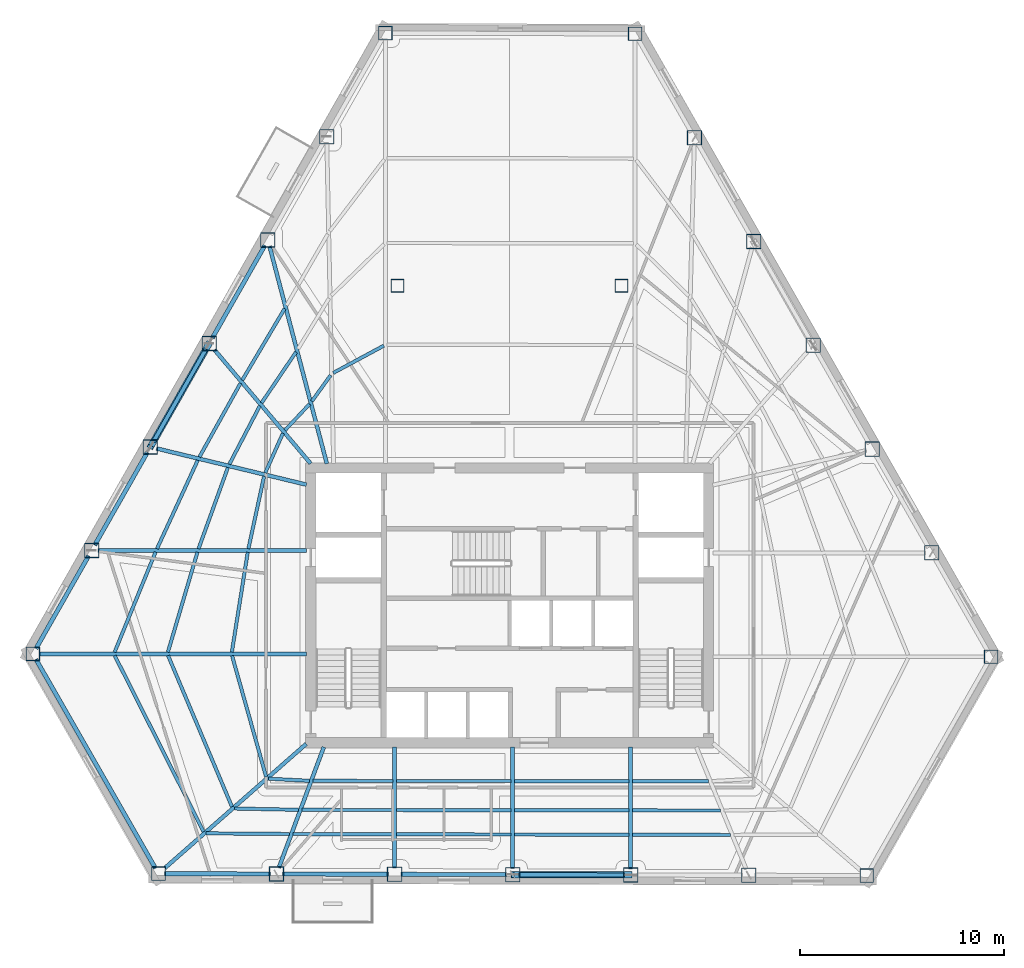
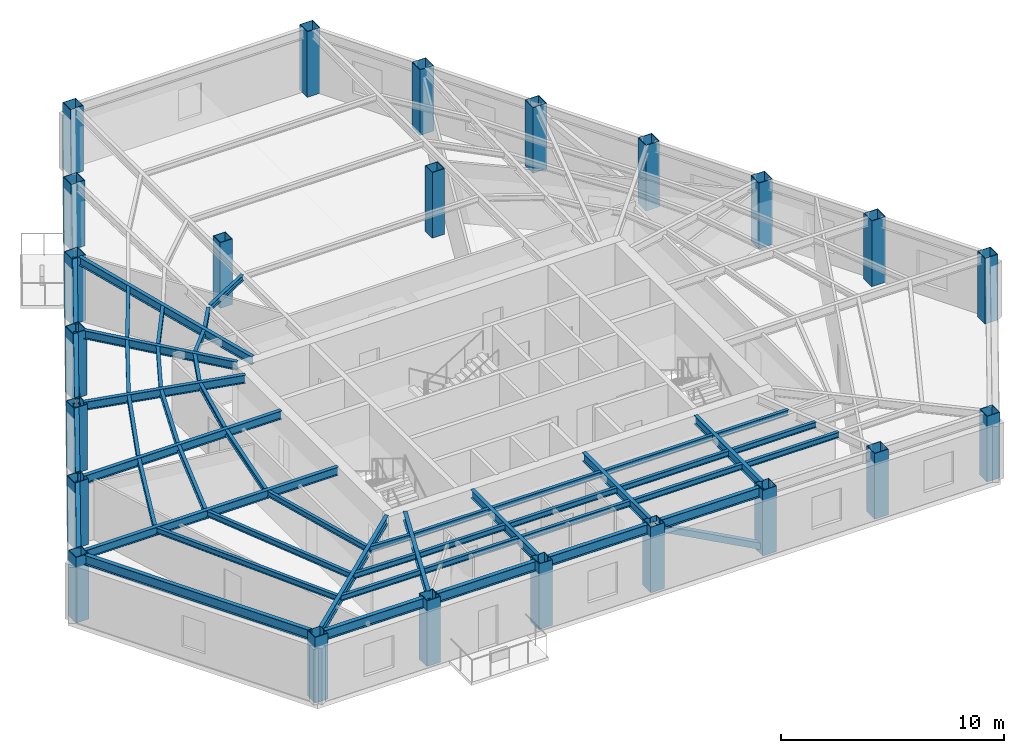
# One storey, part 1 of 13: 51 beams, 23 columns, 2 members.
"""IFC4 building model written with IfcOpenShell, lengths in metres."""

from ifc_helpers import new_model, si_unit, direction, frame, origin, origin_2d, place, context, subcontext, project, spatial, hollow_rectangle, i_section, extrude, material, material_profile, profile_set, type_object, element, save


model = new_model("IFC4")

# Units and contexts
model_context = context("Model", 3, precision=1e-05, world=origin(), true_north=direction((0.0, 1.0)))
body_context = subcontext(model_context, "Body", "Model", "MODEL_VIEW")
ifc_project = project(units=[si_unit("LENGTHUNIT", "METRE"), si_unit("AREAUNIT", "SQUARE_METRE"), si_unit("VOLUMEUNIT", "CUBIC_METRE"), si_unit("PLANEANGLEUNIT", "RADIAN"), si_unit("MASSUNIT", "GRAM", prefix="KILO")], contexts=[model_context])

# Site, building, storey
site_placement = place(None, origin())
site = spatial("IfcSite", under=ifc_project, at=site_placement, CompositionType="ELEMENT")
building_placement = place(site_placement, origin())
building = spatial("IfcBuilding", under=site, at=building_placement, Name="Kavelnor Concourse Tower", CompositionType="ELEMENT")
storey_placement = place(building_placement, frame((0.0, 0.0, 97.050048828125)))
storey = spatial("IfcBuildingStorey", under=building, at=storey_placement, Name="L24", CompositionType="ELEMENT", Elevation=97.050048828125)

# Columns
ifc_material = material(Name="Steel Grade 350", Category="steel")
ifc_material_profile_1 = material_profile(ifc_material, hollow_rectangle(XDim=0.679931640625, YDim=0.679931640625, WallThickness=0.030029296875, at=origin_2d()), Name="SHS 680x680x30")
ifc_profile_set_1 = profile_set([ifc_material_profile_1], Name="Steel Grade 350")
column_type_1 = type_object("IfcColumnType", Name="COL-FOLD-Z2", PredefinedType="COLUMN", material=ifc_profile_set_1)
for number, where, z_axis, x_axis, name in (
    (1, (31.898681640625, 44.20947265625, 0.0), (0.0, 0.0, 1.0), (1.0, 0.0, 0.0), "L24 Perimeter Corner-Fold Column F0-B0"),
    (2, (14.581787109375, 13.7138671875, 0.0), (0.0, 0.0, 1.0), (1.0, 0.0, 0.0), "L24 Perimeter Corner-Fold Column F0-B6"),
    (3, (20.750732421875, 2.92041015625, 0.0), (0.0, 0.0, 1.0), (1.0, 0.0, 0.0), "L24 Perimeter Corner-Fold Column F1-B0"),
    (4, (55.543701171875, 2.823486328125, 0.0), (0.0, 0.0, 1.0), (1.0, 0.0, 0.0), "L24 Perimeter Corner-Fold Column F1-B6"),
    (5, (61.650390625, 13.578125, 0.0), (0.0, 0.0, 1.0), (1.0, 0.0, 0.0), "L24 Perimeter Corner-Fold Column F2-B0"),
    (6, (44.163330078125, 44.17529296875, 0.0), (0.0, 0.0, 1.0), (1.0, 0.0, 0.0), "L24 Perimeter Corner-Fold Column F2-B6"),
):
    element("IfcColumn", number, at=place(storey_placement, frame(where, z_axis=z_axis, x_axis=x_axis)), inside=storey, type_object=column_type_1, Name=name, PredefinedType="COLUMN", context=body_context, shape_type="SweptSolid", body=[
        extrude(hollow_rectangle(XDim=0.679931640625, YDim=0.679931640625, WallThickness=0.030029296875, at=origin_2d()), origin(), (0.0, 0.0, 1.0), 3.599853515625),
    ])
ifc_material_profile_2 = material_profile(ifc_material, hollow_rectangle(XDim=0.719970703125, YDim=0.719970703125, WallThickness=0.031982421875, at=origin_2d()), Name="SHS 720x720x32")
ifc_profile_set_2 = profile_set([ifc_material_profile_2], Name="Steel Grade 350")
column_type_2 = type_object("IfcColumnType", Name="COL-TUBE-Z2", PredefinedType="COLUMN", material=ifc_profile_set_2)
for number, where, z_axis, x_axis, name in (
    (7, (29.012451171875, 39.126953125, 0.0), (0.0, 0.0, 1.0), (1.0, 0.0, 0.0), "L24 Perimeter Framed-Tube Column F0-B1"),
    (8, (26.12646484375, 34.044189453125, 0.0), (0.0, 0.0, 1.0), (1.0, 0.0, 0.0), "L24 Perimeter Framed-Tube Column F0-B2"),
    (9, (23.240234375, 28.961669921875, 0.0), (0.0, 0.0, 1.0), (1.0, 0.0, 0.0), "L24 Perimeter Framed-Tube Column F0-B3"),
    (10, (20.35400390625, 23.879150390625, 0.0), (0.0, 0.0, 1.0), (1.0, 0.0, 0.0), "L24 Perimeter Framed-Tube Column F0-B4"),
    (11, (17.468017578125, 18.79638671875, 0.0), (0.0, 0.0, 1.0), (1.0, 0.0, 0.0), "L24 Perimeter Framed-Tube Column F0-B5"),
    (12, (26.549560546875, 2.904296875, 0.0), (0.0, 0.0, 1.0), (1.0, 0.0, 0.0), "L24 Perimeter Framed-Tube Column F1-B1"),
    (13, (32.348388671875, 2.88818359375, 0.0), (0.0, 0.0, 1.0), (1.0, 0.0, 0.0), "L24 Perimeter Framed-Tube Column F1-B2"),
    (14, (38.147216796875, 2.8720703125, 0.0), (0.0, 0.0, 1.0), (1.0, 0.0, 0.0), "L24 Perimeter Framed-Tube Column F1-B3"),
    (15, (43.946044921875, 2.855712890625, 0.0), (0.0, 0.0, 1.0), (1.0, 0.0, 0.0), "L24 Perimeter Framed-Tube Column F1-B4"),
    (16, (49.744873046875, 2.839599609375, 0.0), (0.0, 0.0, 1.0), (1.0, 0.0, 0.0), "L24 Perimeter Framed-Tube Column F1-B5"),
    (17, (58.736083984375, 18.677490234375, 0.0), (0.0, 0.0, 1.0), (1.0, 0.0, 0.0), "L24 Perimeter Framed-Tube Column F2-B1"),
    (18, (55.8212890625, 23.777099609375, 0.0), (0.0, 0.0, 1.0), (1.0, 0.0, 0.0), "L24 Perimeter Framed-Tube Column F2-B2"),
    (19, (52.906982421875, 28.876708984375, 0.0), (0.0, 0.0, 1.0), (1.0, 0.0, 0.0), "L24 Perimeter Framed-Tube Column F2-B3"),
    (20, (49.992431640625, 33.976318359375, 0.0), (0.0, 0.0, 1.0), (1.0, 0.0, 0.0), "L24 Perimeter Framed-Tube Column F2-B4"),
    (21, (47.077880859375, 39.075927734375, 0.0), (0.0, 0.0, 1.0), (1.0, 0.0, 0.0), "L24 Perimeter Framed-Tube Column F2-B5"),
):
    element("IfcColumn", number, at=place(storey_placement, frame(where, z_axis=z_axis, x_axis=x_axis)), inside=storey, type_object=column_type_2, Name=name, PredefinedType="COLUMN", context=body_context, shape_type="SweptSolid", body=[
        extrude(hollow_rectangle(XDim=0.719970703125, YDim=0.719970703125, WallThickness=0.031982421875, at=origin_2d()), origin(), (0.0, 0.0, 1.0), 3.599853515625),
    ])
ifc_material_profile_3 = material_profile(ifc_material, hollow_rectangle(XDim=0.639892578125, YDim=0.639892578125, WallThickness=0.028076171875, at=origin_2d()), Name="SHS 640x640x28")
ifc_profile_set_3 = profile_set([ifc_material_profile_3], Name="Steel Grade 350")
column_type_3 = type_object("IfcColumnType", Name="COL-TUBE-Z3", PredefinedType="COLUMN", material=ifc_profile_set_3)
for number, where, z_axis, x_axis, name in (
    (22, (32.5, 31.800048828125, 0.0), (0.0, 0.0, 1.0), (1.0, 0.0, 0.0), "L24 North Interior Gravity Column BC-NW"),
    (23, (43.5, 31.800048828125, 0.0), (0.0, 0.0, 1.0), (1.0, 0.0, 0.0), "L24 North Interior Gravity Column BC-NE"),
):
    element("IfcColumn", number, at=place(storey_placement, frame(where, z_axis=z_axis, x_axis=x_axis)), inside=storey, type_object=column_type_3, Name=name, PredefinedType="COLUMN", context=body_context, shape_type="SweptSolid", body=[
        extrude(hollow_rectangle(XDim=0.639892578125, YDim=0.639892578125, WallThickness=0.028076171875, at=origin_2d()), origin(), (0.0, 0.0, 1.0), 3.599853515625),
    ])

# Beams
ifc_material_profile_4 = material_profile(ifc_material, i_section(OverallWidth=0.166015625, OverallDepth=0.306884765625, WebThickness=0.006591796875, FlangeThickness=0.01171875, at=origin_2d()), Name="310UB46")
ifc_profile_set_4 = profile_set([ifc_material_profile_4], Name="Steel Grade 350")
beam_type_1 = type_object("IfcBeamType", Name="BM-JOIST-310", PredefinedType="JOIST", material=ifc_profile_set_4)
beam_1_placement = place(storey_placement, frame((24.365478515625, 13.628173828125, 3.446533203125), z_axis=(0.270699859908, -0.962663796892, 0.0), x_axis=(0.962663796892, 0.270699859908, 0.0)))
element("IfcBeam", 24, at=beam_1_placement, inside=storey, type_object=beam_type_1, Name="L24 Secondary Composite Joist 01-1", PredefinedType="JOIST", context=body_context, shape_type="SweptSolid", body=[
    extrude(i_section(OverallWidth=0.166015625, OverallDepth=0.306884765625, WebThickness=0.006591796875, FlangeThickness=0.01171875, at=origin_2d()), origin(), (0.0, 0.0, 1.0), 6.18603515625),
])
beam_2_placement = place(storey_placement, frame((21.222900390625, 13.6318359375, 3.446533203125), z_axis=(0.389284375628, -0.921117622724, 0.0), x_axis=(0.921117622724, 0.389284375628, 0.0)))
element("IfcBeam", 25, at=beam_2_placement, inside=storey, type_object=beam_type_1, Name="L24 Secondary Composite Joist 01-2", PredefinedType="JOIST", context=body_context, shape_type="SweptSolid", body=[
    extrude(i_section(OverallWidth=0.166015625, OverallDepth=0.306884765625, WebThickness=0.006591796875, FlangeThickness=0.01171875, at=origin_2d()), origin(), (0.0, 0.0, 1.0), 8.063232421875),
])
beam_3_placement = place(storey_placement, frame((18.6005859375, 13.634521484375, 3.446533203125), z_axis=(0.45043491919, -0.892809264946, 0.0), x_axis=(0.892809264946, 0.45043491919, 0.0)))
element("IfcBeam", 26, at=beam_3_placement, inside=storey, type_object=beam_type_1, Name="L24 Secondary Composite Joist 01-3", PredefinedType="JOIST", context=body_context, shape_type="SweptSolid", body=[
    extrude(i_section(OverallWidth=0.166015625, OverallDepth=0.306884765625, WebThickness=0.006591796875, FlangeThickness=0.01171875, at=origin_2d()), origin(), (0.0, 0.0, 1.0), 9.692138671875),
])
beam_4_placement = place(storey_placement, frame((26.153076171875, 7.5830078125, 3.446533203125), z_axis=(0.998727733077, -0.050427325763, 0.0), x_axis=(0.050427325763, 0.998727733077, 0.0)))
element("IfcBeam", 27, at=beam_4_placement, inside=storey, type_object=beam_type_1, Name="L24 Secondary Composite Joist 02-1", PredefinedType="JOIST", context=body_context, shape_type="SweptSolid", body=[
    extrude(i_section(OverallWidth=0.166015625, OverallDepth=0.306884765625, WebThickness=0.006591796875, FlangeThickness=0.01171875, at=origin_2d()), origin(), (0.0, 0.0, 1.0), 2.013916015625),
])
beam_5_placement = place(storey_placement, frame((24.4853515625, 6.12060546875, 3.446533203125), z_axis=(0.999785772336, -0.020698053905, 0.0), x_axis=(0.020698053905, 0.999785772336, 0.0)))
element("IfcBeam", 28, at=beam_5_placement, inside=storey, type_object=beam_type_1, Name="L24 Secondary Composite Joist 02-2", PredefinedType="JOIST", context=body_context, shape_type="SweptSolid", body=[
    extrude(i_section(OverallWidth=0.166015625, OverallDepth=0.306884765625, WebThickness=0.006591796875, FlangeThickness=0.01171875, at=origin_2d()), origin(), (0.0, 0.0, 1.0), 3.1494140625),
])
beam_6_placement = place(storey_placement, frame((23.095458984375, 4.90087890625, 3.446533203125), z_axis=(0.999967634352, -0.008045511093, 0.0), x_axis=(0.008045511093, 0.999967634352, 0.0)))
element("IfcBeam", 29, at=beam_6_placement, inside=storey, type_object=beam_type_1, Name="L24 Secondary Composite Joist 02-3", PredefinedType="JOIST", context=body_context, shape_type="SweptSolid", body=[
    extrude(i_section(OverallWidth=0.166015625, OverallDepth=0.306884765625, WebThickness=0.006591796875, FlangeThickness=0.01171875, at=origin_2d()), origin(), (0.0, 0.0, 1.0), 4.0966796875),
])
beam_7_placement = place(storey_placement, frame((28.342529296875, 7.476806640625, 3.446533203125), z_axis=(0.999999619237, -0.000872654408, 0.0), x_axis=(0.000872654408, 0.999999619237, 0.0)))
element("IfcBeam", 30, at=beam_7_placement, inside=storey, type_object=beam_type_1, Name="L24 Secondary Composite Joist 03-1", PredefinedType="JOIST", context=body_context, shape_type="SweptSolid", body=[
    extrude(i_section(OverallWidth=0.166015625, OverallDepth=0.306884765625, WebThickness=0.006591796875, FlangeThickness=0.01171875, at=origin_2d()), origin(), (0.0, 0.0, 1.0), 3.916748046875),
])
beam_8_placement = place(storey_placement, frame((27.81201171875, 6.05322265625, 3.446533203125), z_axis=(0.999998359067, -0.00181159123, 0.0), x_axis=(0.00181159123, 0.999998359067, 0.0)))
element("IfcBeam", 31, at=beam_8_placement, inside=storey, type_object=beam_type_1, Name="L24 Secondary Composite Joist 03-2", PredefinedType="JOIST", context=body_context, shape_type="SweptSolid", body=[
    extrude(i_section(OverallWidth=0.166015625, OverallDepth=0.306884765625, WebThickness=0.006591796875, FlangeThickness=0.01171875, at=origin_2d()), origin(), (0.0, 0.0, 1.0), 4.447265625),
])
beam_9_placement = place(storey_placement, frame((27.3701171875, 4.8671875, 3.446533203125), z_axis=(0.999996883124, -0.002496746437, 0.0), x_axis=(0.002496746437, 0.999996883124, 0.0)))
element("IfcBeam", 32, at=beam_9_placement, inside=storey, type_object=beam_type_1, Name="L24 Secondary Composite Joist 03-3", PredefinedType="JOIST", context=body_context, shape_type="SweptSolid", body=[
    extrude(i_section(OverallWidth=0.166015625, OverallDepth=0.306884765625, WebThickness=0.006591796875, FlangeThickness=0.01171875, at=origin_2d()), origin(), (0.0, 0.0, 1.0), 4.88916015625),
])
for number, where, z_axis, x_axis, name in (
    (33, (32.437255859375, 7.473388671875, 3.446533203125), (0.999999694374, -0.00078182663, 0.0), (0.00078182663, 0.999999694374, 0.0), "L24 Secondary Composite Joist 04-1"),
    (34, (32.437255859375, 6.044921875, 3.446533203125), (0.999998972757, -0.001433347787, 0.0), (0.001433347787, 0.999998972757, 0.0), "L24 Secondary Composite Joist 04-2"),
    (35, (32.437255859375, 4.8544921875, 3.446533203125), (0.999998004, -0.00199799801, 0.0), (0.00199799801, 0.999998004, 0.0), "L24 Secondary Composite Joist 04-3"),
    (36, (38.236083984375, 7.468994140625, 3.446533203125), (0.999999694374, -0.00078182663, 0.0), (0.00078182663, 0.999999694374, 0.0), "L24 Secondary Composite Joist 05-1"),
    (37, (38.236083984375, 6.03662109375, 3.446533203125), (0.999998909556, -0.001476782475, 0.0), (0.001476782475, 0.999998909556, 0.0), "L24 Secondary Composite Joist 05-2"),
    (38, (38.236083984375, 4.843017578125, 3.446533203125), (0.999997916274, -0.00204143257, 0.0), (0.00204143257, 0.999997916274, 0.0), "L24 Secondary Composite Joist 05-3"),
):
    element("IfcBeam", number, at=place(storey_placement, frame(where, z_axis=z_axis, x_axis=x_axis)), inside=storey, type_object=beam_type_1, Name=name, PredefinedType="JOIST", context=body_context, shape_type="SweptSolid", body=[
        extrude(i_section(OverallWidth=0.166015625, OverallDepth=0.306884765625, WebThickness=0.006591796875, FlangeThickness=0.01171875, at=origin_2d()), origin(), (0.0, 0.0, 1.0), 5.620849609375),
    ])
beam_10_placement = place(storey_placement, frame((44.034912109375, 7.46435546875, 3.446533203125), z_axis=(0.99999887098, -0.001502676992, 0.0), x_axis=(0.001502676992, 0.99999887098, 0.0)))
element("IfcBeam", 39, at=beam_10_placement, inside=storey, type_object=beam_type_1, Name="L24 Secondary Composite Joist 06-1", PredefinedType="JOIST", context=body_context, shape_type="SweptSolid", body=[
    extrude(i_section(OverallWidth=0.166015625, OverallDepth=0.306884765625, WebThickness=0.006591796875, FlangeThickness=0.01171875, at=origin_2d()), origin(), (0.0, 0.0, 1.0), 3.73681640625),
])
beam_11_placement = place(storey_placement, frame((44.034912109375, 6.028076171875, 3.446533203125), z_axis=(0.999998263764, -0.001863456023, 0.0), x_axis=(0.001863456023, 0.999998263764, 0.0)))
element("IfcBeam", 40, at=beam_11_placement, inside=storey, type_object=beam_type_1, Name="L24 Secondary Composite Joist 06-2", PredefinedType="JOIST", context=body_context, shape_type="SweptSolid", body=[
    extrude(i_section(OverallWidth=0.166015625, OverallDepth=0.306884765625, WebThickness=0.006591796875, FlangeThickness=0.01171875, at=origin_2d()), origin(), (0.0, 0.0, 1.0), 4.323486328125),
])
beam_12_placement = place(storey_placement, frame((44.034912109375, 4.831298828125, 3.446533203125), z_axis=(0.999997836908, -0.0020799468, 0.0), x_axis=(0.0020799468, 0.999997836908, 0.0)))
element("IfcBeam", 41, at=beam_12_placement, inside=storey, type_object=beam_type_1, Name="L24 Secondary Composite Joist 06-3", PredefinedType="JOIST", context=body_context, shape_type="SweptSolid", body=[
    extrude(i_section(OverallWidth=0.166015625, OverallDepth=0.306884765625, WebThickness=0.006591796875, FlangeThickness=0.01171875, at=origin_2d()), origin(), (0.0, 0.0, 1.0), 4.8125),
])
beam_13_placement = place(storey_placement, frame((31.8203125, 28.855712890625, 3.446533203125), z_axis=(-0.880301566528, -0.474414536001, 0.0), x_axis=(0.474414536001, -0.880301566528, 0.0)))
element("IfcBeam", 42, at=beam_13_placement, inside=storey, type_object=beam_type_1, Name="L24 Secondary Composite Joist 16-1", PredefinedType="JOIST", context=body_context, shape_type="SweptSolid", body=[
    extrude(i_section(OverallWidth=0.166015625, OverallDepth=0.306884765625, WebThickness=0.006591796875, FlangeThickness=0.01171875, at=origin_2d()), origin(), (0.0, 0.0, 1.0), 2.821533203125),
])
beam_14_placement = place(storey_placement, frame((29.206298828125, 27.402587890625, 3.446533203125), z_axis=(-0.58479446183, -0.81118150707, 0.0), x_axis=(0.81118150707, -0.58479446183, 0.0)))
element("IfcBeam", 43, at=beam_14_placement, inside=storey, type_object=beam_type_1, Name="L24 Secondary Composite Joist 17-1", PredefinedType="JOIST", context=body_context, shape_type="SweptSolid", body=[
    extrude(i_section(OverallWidth=0.166015625, OverallDepth=0.306884765625, WebThickness=0.006591796875, FlangeThickness=0.01171875, at=origin_2d()), origin(), (0.0, 0.0, 1.0), 1.57568359375),
])
beam_15_placement = place(storey_placement, frame((28.172119140625, 25.9873046875, 3.446533203125), z_axis=(-0.68446884143, -0.729042114773, 0.0), x_axis=(0.729042114773, -0.68446884143, 0.0)))
element("IfcBeam", 44, at=beam_15_placement, inside=storey, type_object=beam_type_1, Name="L24 Secondary Composite Joist 18-1", PredefinedType="JOIST", context=body_context, shape_type="SweptSolid", body=[
    extrude(i_section(OverallWidth=0.166015625, OverallDepth=0.306884765625, WebThickness=0.006591796875, FlangeThickness=0.01171875, at=origin_2d()), origin(), (0.0, 0.0, 1.0), 1.76904296875),
])
beam_16_placement = place(storey_placement, frame((27.50732421875, 28.5419921875, 3.446533203125), z_axis=(-0.560667244247, -0.828041207446, 0.0), x_axis=(0.828041207446, -0.560667244247, 0.0)))
element("IfcBeam", 45, at=beam_16_placement, inside=storey, type_object=beam_type_1, Name="L24 Secondary Composite Joist 18-2", PredefinedType="JOIST", context=body_context, shape_type="SweptSolid", body=[
    extrude(i_section(OverallWidth=0.166015625, OverallDepth=0.306884765625, WebThickness=0.006591796875, FlangeThickness=0.01171875, at=origin_2d()), origin(), (0.0, 0.0, 1.0), 3.01416015625),
])
beam_17_placement = place(storey_placement, frame((26.94873046875, 30.675537109375, 3.446533203125), z_axis=(-0.509771224917, -0.860310001248, 0.0), x_axis=(0.860310001248, -0.509771224917, 0.0)))
element("IfcBeam", 46, at=beam_17_placement, inside=storey, type_object=beam_type_1, Name="L24 Secondary Composite Joist 18-3", PredefinedType="JOIST", context=body_context, shape_type="SweptSolid", body=[
    extrude(i_section(OverallWidth=0.166015625, OverallDepth=0.306884765625, WebThickness=0.006591796875, FlangeThickness=0.01171875, at=origin_2d()), origin(), (0.0, 0.0, 1.0), 4.079833984375),
])
beam_18_placement = place(storey_placement, frame((26.864013671875, 24.551513671875, 3.446533203125), z_axis=(-0.408753089737, -0.912645008549, 0.0), x_axis=(0.912645008549, -0.408753089737, 0.0)))
element("IfcBeam", 47, at=beam_18_placement, inside=storey, type_object=beam_type_1, Name="L24 Secondary Composite Joist 19-1", PredefinedType="JOIST", context=body_context, shape_type="SweptSolid", body=[
    extrude(i_section(OverallWidth=0.166015625, OverallDepth=0.306884765625, WebThickness=0.006591796875, FlangeThickness=0.01171875, at=origin_2d()), origin(), (0.0, 0.0, 1.0), 2.1298828125),
])
beam_19_placement = place(storey_placement, frame((25.726318359375, 25.8935546875, 3.446533203125), z_axis=(-0.463142178802, -0.886283996366, 0.0), x_axis=(0.886283996366, -0.463142178802, 0.0)))
element("IfcBeam", 48, at=beam_19_placement, inside=storey, type_object=beam_type_1, Name="L24 Secondary Composite Joist 19-2", PredefinedType="JOIST", context=body_context, shape_type="SweptSolid", body=[
    extrude(i_section(OverallWidth=0.166015625, OverallDepth=0.306884765625, WebThickness=0.006591796875, FlangeThickness=0.01171875, at=origin_2d()), origin(), (0.0, 0.0, 1.0), 3.228759765625),
])
beam_20_placement = place(storey_placement, frame((24.7802734375, 27.01123046875, 3.446533203125), z_axis=(-0.486751546458, -0.873540458148, 0.0), x_axis=(0.873540458148, -0.486751546458, 0.0)))
element("IfcBeam", 49, at=beam_20_placement, inside=storey, type_object=beam_type_1, Name="L24 Secondary Composite Joist 19-3", PredefinedType="JOIST", context=body_context, shape_type="SweptSolid", body=[
    extrude(i_section(OverallWidth=0.166015625, OverallDepth=0.306884765625, WebThickness=0.006591796875, FlangeThickness=0.01171875, at=origin_2d()), origin(), (0.0, 0.0, 1.0), 4.1494140625),
])
beam_21_placement = place(storey_placement, frame((25.938232421875, 22.439453125, 3.446533203125), z_axis=(-0.211641181763, -0.977347435758, 0.0), x_axis=(0.977347435758, -0.211641181763, 0.0)))
element("IfcBeam", 50, at=beam_21_placement, inside=storey, type_object=beam_type_1, Name="L24 Secondary Composite Joist 20-1", PredefinedType="JOIST", context=body_context, shape_type="SweptSolid", body=[
    extrude(i_section(OverallWidth=0.166015625, OverallDepth=0.306884765625, WebThickness=0.006591796875, FlangeThickness=0.01171875, at=origin_2d()), origin(), (0.0, 0.0, 1.0), 3.638427734375),
])
beam_22_placement = place(storey_placement, frame((24.15966796875, 22.869384765625, 3.446533203125), z_axis=(-0.339616173736, -0.940564115059, 0.0), x_axis=(0.940564115059, -0.339616173736, 0.0)))
element("IfcBeam", 51, at=beam_22_placement, inside=storey, type_object=beam_type_1, Name="L24 Secondary Composite Joist 20-2", PredefinedType="JOIST", context=body_context, shape_type="SweptSolid", body=[
    extrude(i_section(OverallWidth=0.166015625, OverallDepth=0.306884765625, WebThickness=0.006591796875, FlangeThickness=0.01171875, at=origin_2d()), origin(), (0.0, 0.0, 1.0), 4.241455078125),
])
beam_23_placement = place(storey_placement, frame((22.6796875, 23.227783203125, 3.446533203125), z_axis=(-0.41835989201, -0.908281344495, 0.0), x_axis=(0.908281344495, -0.41835989201, 0.0)))
element("IfcBeam", 52, at=beam_23_placement, inside=storey, type_object=beam_type_1, Name="L24 Secondary Composite Joist 20-3", PredefinedType="JOIST", context=body_context, shape_type="SweptSolid", body=[
    extrude(i_section(OverallWidth=0.166015625, OverallDepth=0.306884765625, WebThickness=0.006591796875, FlangeThickness=0.01171875, at=origin_2d()), origin(), (0.0, 0.0, 1.0), 4.789794921875),
])
beam_24_placement = place(storey_placement, frame((25.135498046875, 18.70849609375, 3.446533203125), z_axis=(-0.157047516594, -0.987591047717, 0.0), x_axis=(0.987591047717, -0.157047516594, 0.0)))
element("IfcBeam", 53, at=beam_24_placement, inside=storey, type_object=beam_type_1, Name="L24 Secondary Composite Joist 21-1", PredefinedType="JOIST", context=body_context, shape_type="SweptSolid", body=[
    extrude(i_section(OverallWidth=0.166015625, OverallDepth=0.306884765625, WebThickness=0.006591796875, FlangeThickness=0.01171875, at=origin_2d()), origin(), (0.0, 0.0, 1.0), 4.968505859375),
])
beam_25_placement = place(storey_placement, frame((22.663818359375, 18.711181640625, 3.446533203125), z_axis=(-0.283203650671, -0.95905979597, 0.0), x_axis=(0.95905979597, -0.283203650671, 0.0)))
element("IfcBeam", 54, at=beam_25_placement, inside=storey, type_object=beam_type_1, Name="L24 Secondary Composite Joist 21-2", PredefinedType="JOIST", context=body_context, shape_type="SweptSolid", body=[
    extrude(i_section(OverallWidth=0.166015625, OverallDepth=0.306884765625, WebThickness=0.006591796875, FlangeThickness=0.01171875, at=origin_2d()), origin(), (0.0, 0.0, 1.0), 5.12158203125),
])
beam_26_placement = place(storey_placement, frame((20.60498046875, 18.714111328125, 3.446533203125), z_axis=(-0.378462856619, -0.92561647898, 0.0), x_axis=(0.92561647898, -0.378462856619, 0.0)))
element("IfcBeam", 55, at=beam_26_placement, inside=storey, type_object=beam_type_1, Name="L24 Secondary Composite Joist 21-3", PredefinedType="JOIST", context=body_context, shape_type="SweptSolid", body=[
    extrude(i_section(OverallWidth=0.166015625, OverallDepth=0.306884765625, WebThickness=0.006591796875, FlangeThickness=0.01171875, at=origin_2d()), origin(), (0.0, 0.0, 1.0), 5.31298828125),
])
ifc_material_profile_5 = material_profile(ifc_material, i_section(OverallWidth=0.18994140625, OverallDepth=0.4541015625, WebThickness=0.008544921875, FlangeThickness=0.0126953125, at=origin_2d()), Name="460UB67")
ifc_profile_set_5 = profile_set([ifc_material_profile_5], Name="Steel Grade 350")
beam_type_2 = type_object("IfcBeamType", Name="BM-PRIMARY-460", PredefinedType="BEAM", material=ifc_profile_set_5)
beam_27_placement = place(storey_placement, frame((29.021240234375, 23.061279296875, 3.373046875), z_axis=(-0.254871864255, 0.966974835666, 0.0), x_axis=(-0.966974835666, -0.254871864255, 0.0)))
element("IfcBeam", 56, at=beam_27_placement, inside=storey, type_object=beam_type_2, Name="L24 Primary Floor Girder F0-B2", PredefinedType="BEAM", context=body_context, shape_type="SweptSolid", body=[
    extrude(i_section(OverallWidth=0.18994140625, OverallDepth=0.4541015625, WebThickness=0.008544921875, FlangeThickness=0.0126953125, at=origin_2d()), origin(), (0.0, 0.0, 1.0), 11.04638671875),
])
beam_28_placement = place(storey_placement, frame((28.22216796875, 23.069580078125, 3.373046875), z_axis=(-0.645686217622, 0.763602847279, 0.0), x_axis=(-0.763602847279, -0.645686217622, 0.0)))
element("IfcBeam", 57, at=beam_28_placement, inside=storey, type_object=beam_type_2, Name="L24 Primary Floor Girder F0-B3", PredefinedType="BEAM", context=body_context, shape_type="SweptSolid", body=[
    extrude(i_section(OverallWidth=0.18994140625, OverallDepth=0.4541015625, WebThickness=0.008544921875, FlangeThickness=0.0126953125, at=origin_2d()), origin(), (0.0, 0.0, 1.0), 7.310791015625),
])
beam_29_placement = place(storey_placement, frame((28.018798828125, 22.028564453125, 3.373046875), z_axis=(-0.972069279147, 0.234694091401, 0.0), x_axis=(-0.234694091401, -0.972069279147, 0.0)))
element("IfcBeam", 58, at=beam_29_placement, inside=storey, type_object=beam_type_2, Name="L24 Primary Floor Girder F0-B4", PredefinedType="BEAM", context=body_context, shape_type="SweptSolid", body=[
    extrude(i_section(OverallWidth=0.18994140625, OverallDepth=0.4541015625, WebThickness=0.008544921875, FlangeThickness=0.0126953125, at=origin_2d()), origin(), (0.0, 0.0, 1.0), 7.5751953125),
])
beam_30_placement = place(storey_placement, frame((28.02001953125, 18.79638671875, 3.373046875), z_axis=(-1.0, 0.0, 0.0), x_axis=(0.0, -1.0, 0.0)))
element("IfcBeam", 59, at=beam_30_placement, inside=storey, type_object=beam_type_2, Name="L24 Primary Floor Girder F0-B5", PredefinedType="BEAM", context=body_context, shape_type="SweptSolid", body=[
    extrude(i_section(OverallWidth=0.18994140625, OverallDepth=0.4541015625, WebThickness=0.008544921875, FlangeThickness=0.0126953125, at=origin_2d()), origin(), (0.0, 0.0, 1.0), 10.251953125),
])
beam_31_placement = place(storey_placement, frame((28.02001953125, 13.7138671875, 3.373046875), z_axis=(-1.0, 0.0, 0.0), x_axis=(0.0, -1.0, 0.0)))
element("IfcBeam", 60, at=beam_31_placement, inside=storey, type_object=beam_type_2, Name="L24 Primary Floor Girder F0-B6", PredefinedType="BEAM", context=body_context, shape_type="SweptSolid", body=[
    extrude(i_section(OverallWidth=0.18994140625, OverallDepth=0.4541015625, WebThickness=0.008544921875, FlangeThickness=0.0126953125, at=origin_2d()), origin(), (0.0, 0.0, 1.0), 13.13818359375),
])
beam_32_placement = place(storey_placement, frame((28.010009765625, 9.296630859375, 3.373046875), z_axis=(-0.751331053158, -0.659925487127, 0.0), x_axis=(0.659925487127, -0.751331053158, 0.0)))
element("IfcBeam", 61, at=beam_32_placement, inside=storey, type_object=beam_type_2, Name="L24 Primary Floor Girder F1-B0", PredefinedType="BEAM", context=body_context, shape_type="SweptSolid", body=[
    extrude(i_section(OverallWidth=0.18994140625, OverallDepth=0.4541015625, WebThickness=0.008544921875, FlangeThickness=0.0126953125, at=origin_2d()), origin(), (0.0, 0.0, 1.0), 9.24951171875),
])
beam_33_placement = place(storey_placement, frame((28.872314453125, 9.137451171875, 3.373046875), z_axis=(-0.349211968001, -0.937043756398, 0.0), x_axis=(0.937043756398, -0.349211968001, 0.0)))
element("IfcBeam", 62, at=beam_33_placement, inside=storey, type_object=beam_type_2, Name="L24 Primary Floor Girder F1-B1", PredefinedType="BEAM", context=body_context, shape_type="SweptSolid", body=[
    extrude(i_section(OverallWidth=0.18994140625, OverallDepth=0.4541015625, WebThickness=0.008544921875, FlangeThickness=0.0126953125, at=origin_2d()), origin(), (0.0, 0.0, 1.0), 6.3291015625),
])
beam_34_placement = place(storey_placement, frame((32.348388671875, 9.139892578125, 3.373046875), z_axis=(0.0, -1.0, 0.0), x_axis=(1.0, 0.0, 0.0)))
element("IfcBeam", 63, at=beam_34_placement, inside=storey, type_object=beam_type_2, Name="L24 Primary Floor Girder F1-B2", PredefinedType="BEAM", context=body_context, shape_type="SweptSolid", body=[
    extrude(i_section(OverallWidth=0.18994140625, OverallDepth=0.4541015625, WebThickness=0.008544921875, FlangeThickness=0.0126953125, at=origin_2d()), origin(), (0.0, 0.0, 1.0), 5.951904296875),
])
beam_35_placement = place(storey_placement, frame((38.147216796875, 9.139892578125, 3.373046875), z_axis=(0.0, -1.0, 0.0), x_axis=(1.0, 0.0, 0.0)))
element("IfcBeam", 64, at=beam_35_placement, inside=storey, type_object=beam_type_2, Name="L24 Primary Floor Girder F1-B3", PredefinedType="BEAM", context=body_context, shape_type="SweptSolid", body=[
    extrude(i_section(OverallWidth=0.18994140625, OverallDepth=0.4541015625, WebThickness=0.008544921875, FlangeThickness=0.0126953125, at=origin_2d()), origin(), (0.0, 0.0, 1.0), 5.9677734375),
])
beam_36_placement = place(storey_placement, frame((43.946044921875, 9.139892578125, 3.373046875), z_axis=(0.0, -1.0, 0.0), x_axis=(1.0, 0.0, 0.0)))
element("IfcBeam", 65, at=beam_36_placement, inside=storey, type_object=beam_type_2, Name="L24 Primary Floor Girder F1-B4", PredefinedType="BEAM", context=body_context, shape_type="SweptSolid", body=[
    extrude(i_section(OverallWidth=0.18994140625, OverallDepth=0.4541015625, WebThickness=0.008544921875, FlangeThickness=0.0126953125, at=origin_2d()), origin(), (0.0, 0.0, 1.0), 5.984130859375),
])
ifc_material_profile_6 = material_profile(ifc_material, i_section(OverallWidth=0.208984375, OverallDepth=0.532958984375, WebThickness=0.01025390625, FlangeThickness=0.015625, at=origin_2d()), Name="530UB92")
ifc_profile_set_6 = profile_set([ifc_material_profile_6], Name="Steel Grade 350")
beam_type_3 = type_object("IfcBeamType", Name="BM-SPANDREL-Z2", PredefinedType="SPANDREL", material=ifc_profile_set_6)
for number, where, z_axis, x_axis, name in (
    (66, (25.975830078125, 33.779052734375, 3.33349609375), (-0.493786643661, -0.869583090074, 0.0), (0.869583090074, -0.493786643661, 0.0), "L24 Perimeter Tube Spandrel Beam F0-B2"),
    (67, (23.089599609375, 28.696533203125, 3.33349609375), (-0.493786643661, -0.869583090074, 0.0), (0.869583090074, -0.493786643661, 0.0), "L24 Perimeter Tube Spandrel Beam F0-B3"),
    (68, (20.20361328125, 23.614013671875, 3.33349609375), (-0.493786643661, -0.869583090074, 0.0), (0.869583090074, -0.493786643661, 0.0), "L24 Perimeter Tube Spandrel Beam F0-B4"),
    (69, (17.3173828125, 18.53125, 3.33349609375), (-0.493786643661, -0.869583090074, 0.0), (0.869583090074, -0.493786643661, 0.0), "L24 Perimeter Tube Spandrel Beam F0-B5"),
):
    element("IfcBeam", number, at=place(storey_placement, frame(where, z_axis=z_axis, x_axis=x_axis)), inside=storey, type_object=beam_type_3, Name=name, PredefinedType="SPANDREL", context=body_context, shape_type="SweptSolid", body=[
        extrude(i_section(OverallWidth=0.208984375, OverallDepth=0.532958984375, WebThickness=0.01025390625, FlangeThickness=0.015625, at=origin_2d()), origin(), (0.0, 0.0, 1.0), 5.23486328125),
    ])
for number, where, z_axis, x_axis, name in (
    (70, (21.0556640625, 2.91943359375, 3.33349609375), (0.999996146716, -0.002776067974, 0.0), (0.002776067974, 0.999996146716, 0.0), "L24 Perimeter Tube Spandrel Beam F1-B0"),
    (71, (26.8544921875, 2.9033203125, 3.33349609375), (0.999996146716, -0.002776067974, 0.0), (0.002776067974, 0.999996146716, 0.0), "L24 Perimeter Tube Spandrel Beam F1-B1"),
    (72, (32.6533203125, 2.88720703125, 3.33349609375), (0.999996146716, -0.002776067974, 0.0), (0.002776067974, 0.999996146716, 0.0), "L24 Perimeter Tube Spandrel Beam F1-B2"),
):
    element("IfcBeam", number, at=place(storey_placement, frame(where, z_axis=z_axis, x_axis=x_axis)), inside=storey, type_object=beam_type_3, Name=name, PredefinedType="SPANDREL", context=body_context, shape_type="SweptSolid", body=[
        extrude(i_section(OverallWidth=0.208984375, OverallDepth=0.532958984375, WebThickness=0.01025390625, FlangeThickness=0.015625, at=origin_2d()), origin(), (0.0, 0.0, 1.0), 5.188720703125),
    ])
beam_37_placement = place(storey_placement, frame((38.4521484375, 2.87109375, 3.33349609375), z_axis=(0.999996147078, -0.002775937361, 0.0), x_axis=(0.002775937361, 0.999996147078, 0.0)))
element("IfcBeam", 73, at=beam_37_placement, inside=storey, type_object=beam_type_3, Name="L24 Perimeter Tube Spandrel Beam F1-B3", PredefinedType="SPANDREL", context=body_context, shape_type="SweptSolid", body=[
    extrude(i_section(OverallWidth=0.208984375, OverallDepth=0.532958984375, WebThickness=0.01025390625, FlangeThickness=0.015625, at=origin_2d()), origin(), (0.0, 0.0, 1.0), 5.18896484375),
])
beam_38_placement = place(storey_placement, frame((14.733154296875, 13.44921875, 3.33349609375), z_axis=(0.496210104343, -0.868202471978, 0.0), x_axis=(0.868202471978, 0.496210104343, 0.0)))
element("IfcBeam", 74, at=beam_38_placement, inside=storey, type_object=beam_type_3, Name="L24 Chamfer Facet Spandrel Beam C1", PredefinedType="SPANDREL", context=body_context, shape_type="SweptSolid", body=[
    extrude(i_section(OverallWidth=0.208984375, OverallDepth=0.532958984375, WebThickness=0.01025390625, FlangeThickness=0.015625, at=origin_2d()), origin(), (0.0, 0.0, 1.0), 11.822021484375),
])

# Members
ifc_material_profile_7 = material_profile(ifc_material, hollow_rectangle(XDim=0.320068359375, YDim=0.320068359375, WallThickness=0.01806640625, at=origin_2d()), Name="SHS 320x320x18")
ifc_profile_set_7 = profile_set([ifc_material_profile_7], Name="Steel Grade 350")
member_type = type_object("IfcMemberType", Name="MBR-TUBE-DIAG-Z2", PredefinedType="BRACE", material=ifc_profile_set_7)
member_1_placement = place(storey_placement, frame((23.240234375, 28.961669921875, 0.219970703125), z_axis=(-0.435827528765, -0.76747229689, 0.470149591807), x_axis=(0.869571520072, -0.49380701846, 0.0)))
element("IfcMember", 75, at=member_1_placement, inside=storey, type_object=member_type, Name="L24 Framed-Tube Bracing Diagonal F0-B3", PredefinedType="BRACE", context=body_context, shape_type="SweptSolid", body=[
    extrude(hollow_rectangle(XDim=0.320068359375, YDim=0.320068359375, WallThickness=0.01806640625, at=origin_2d()), origin(), (0.0, 0.0, 1.0), 6.622314453125),
])
member_2_placement = place(storey_placement, frame((43.946044921875, 2.855712890625, 0.219970703125), z_axis=(-0.881033507643, 0.002485232612, 0.473047335928), x_axis=(-0.002820803867, -0.999996021525, 0.0)))
element("IfcMember", 76, at=member_2_placement, inside=storey, type_object=member_type, Name="L24 Framed-Tube Bracing Diagonal F1-B3", PredefinedType="BRACE", context=body_context, shape_type="SweptSolid", body=[
    extrude(hollow_rectangle(XDim=0.320068359375, YDim=0.320068359375, WallThickness=0.01806640625, at=origin_2d()), origin(), (0.0, 0.0, 1.0), 6.581787109375),
])

save(model, "model.ifc")
